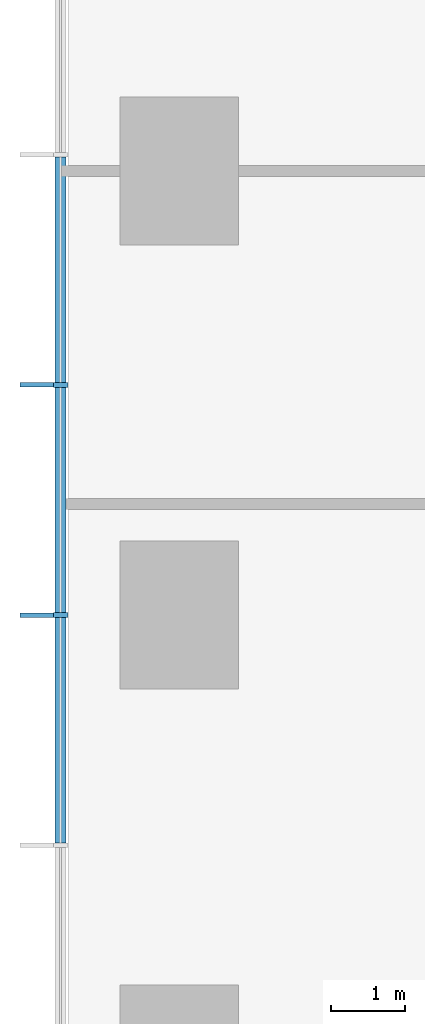
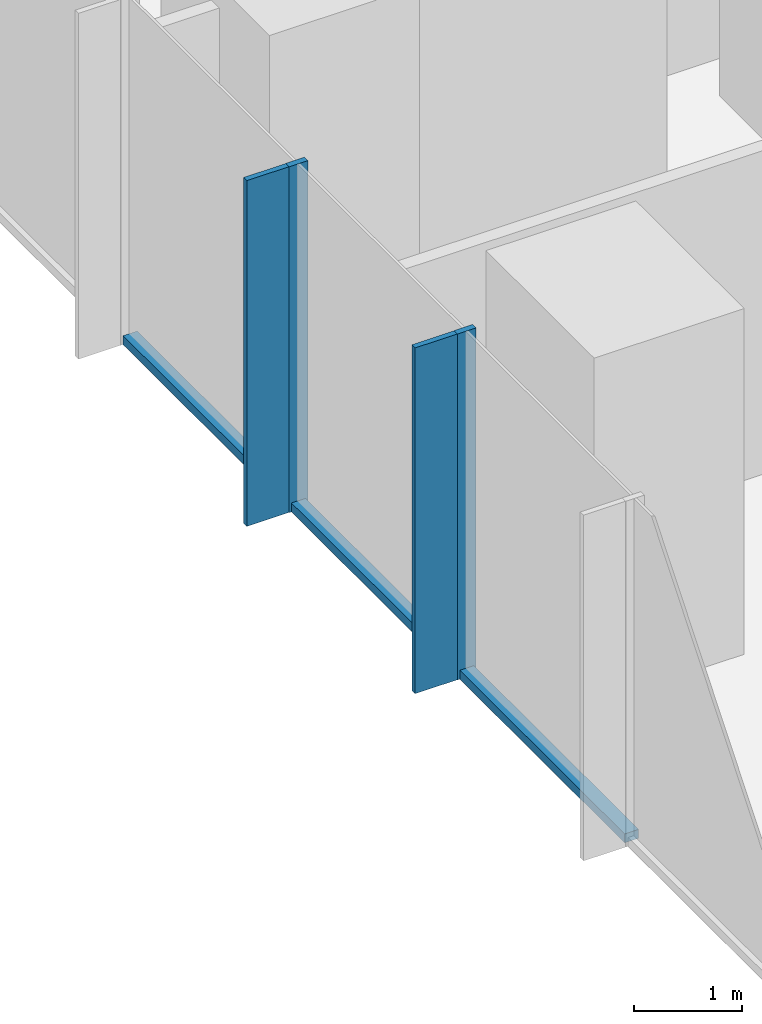
# One storey, part 3 of 12: 7 members, 1 element without a shape of its own.
"""IFC4 building model written with IfcOpenShell, lengths in metres."""

from ifc_helpers import new_model, si_unit, direction, frame, origin, origin_2d, place, context, subcontext, project, spatial, rectangle, extrude, material, layer, layer_set, material_profile, profile_set, type_object, element, aggregate, save


model = new_model("IFC4")

# Units and contexts
model_context = context("Model", 3, precision=1e-05, world=origin(), true_north=direction((0.0, 1.0)))
body_context = subcontext(model_context, "Body", "Model", "MODEL_VIEW")
ifc_project = project(units=[si_unit("LENGTHUNIT", "METRE"), si_unit("AREAUNIT", "SQUARE_METRE"), si_unit("VOLUMEUNIT", "CUBIC_METRE"), si_unit("PLANEANGLEUNIT", "RADIAN"), si_unit("MASSUNIT", "GRAM", prefix="KILO")], contexts=[model_context])

# Site, building, storey
site_placement = place(None, origin())
site = spatial("IfcSite", under=ifc_project, at=site_placement, CompositionType="ELEMENT")
building_placement = place(site_placement, origin())
building = spatial("IfcBuilding", under=site, at=building_placement, Name="Highveld Stack Headquarters", CompositionType="ELEMENT")
storey_placement = place(building_placement, frame((0.0, 0.0, 26.0)))
storey = spatial("IfcBuildingStorey", under=building, at=storey_placement, Name="L05", CompositionType="ELEMENT", Elevation=26.0)

# Curtain wall, members
ifc_material_1 = material(Name="Aluminium bronze anodised", Category="aluminium")
ifc_layer = layer(ifc_material_1, 0.199951171875)
ifc_layer_set = layer_set([ifc_layer], Name="Aluminium bronze anodised")
curtain_wall_type = type_object("IfcCurtainWallType", Name="CW1 TOWER UNITISED CURTAIN WALL", PredefinedType="NOTDEFINED", material=ifc_layer_set)
curtain_wall_placement = place(storey_placement, origin())
curtain_wall = element("IfcCurtainWall", 1, at=curtain_wall_placement, inside=storey, type_object=curtain_wall_type, Name="Curtain wall CW1 L05 W", PredefinedType="NOTDEFINED")
ifc_material_2 = material(Name="Aluminium bronze anodised", Category="aluminium")
ifc_material_profile_1 = material_profile(ifc_material_2, rectangle(XDim=0.449951171875, YDim=0.06005859375, at=origin_2d()), Name="FIN 450x60")
ifc_profile_set_1 = profile_set([ifc_material_profile_1], Name="Aluminium bronze anodised")
member_type_1 = type_object("IfcMemberType", Name="CW1 BRONZE FIN 450x60", PredefinedType="USERDEFINED", material=ifc_profile_set_1)
member_1_placement = place(storey_placement, frame((-25.925048828125, 3.110595703125, 0.0), z_axis=(0.0, 0.0, 1.0), x_axis=(1.0, 0.0, 0.0)))
member_1 = element("IfcMember", 2, at=member_1_placement, type_object=member_type_1, Name="CW1 fin L05 6", ObjectType="FIN", PredefinedType="USERDEFINED", context=body_context, shape_type="SweptSolid", body=[
    extrude(rectangle(XDim=0.449951171875, YDim=0.06005859375, at=origin_2d()), origin(), (0.0, 0.0, 1.0), 3.89990234375),
])
member_2_placement = place(storey_placement, frame((-25.925048828125, 0.0, 0.0), z_axis=(0.0, 0.0, 1.0), x_axis=(1.0, 0.0, 0.0)))
member_2 = element("IfcMember", 3, at=member_2_placement, type_object=member_type_1, Name="CW1 fin L05 7", ObjectType="FIN", PredefinedType="USERDEFINED", context=body_context, shape_type="SweptSolid", body=[
    extrude(rectangle(XDim=0.449951171875, YDim=0.06005859375, at=origin_2d()), origin(), (0.0, 0.0, 1.0), 3.89990234375),
])
ifc_material_3 = material(Name="Aluminium bronze anodised", Category="aluminium")
ifc_material_profile_2 = material_profile(ifc_material_3, rectangle(XDim=0.199951171875, YDim=0.06494140625, at=origin_2d()), Name="CW1 MULLION 65x200")
ifc_profile_set_2 = profile_set([ifc_material_profile_2], Name="Aluminium bronze anodised")
member_type_2 = type_object("IfcMemberType", Name="CW1 MULLION 65x200", PredefinedType="MULLION", material=ifc_profile_set_2)
member_3_placement = place(storey_placement, frame((-25.60009765625, 3.110595703125, 0.0), z_axis=(0.0, 0.0, 1.0), x_axis=(1.0, 0.0, 0.0)))
member_3 = element("IfcMember", 4, at=member_3_placement, type_object=member_type_2, Name="CW1 mullion L05 6", PredefinedType="MULLION", context=body_context, shape_type="SweptSolid", body=[
    extrude(rectangle(XDim=0.199951171875, YDim=0.06494140625, at=origin_2d()), origin(), (0.0, 0.0, 1.0), 3.89990234375),
])
member_4_placement = place(storey_placement, frame((-25.60009765625, 0.0, 0.0), z_axis=(0.0, 0.0, 1.0), x_axis=(1.0, 0.0, 0.0)))
member_4 = element("IfcMember", 5, at=member_4_placement, type_object=member_type_2, Name="CW1 mullion L05 7", PredefinedType="MULLION", context=body_context, shape_type="SweptSolid", body=[
    extrude(rectangle(XDim=0.199951171875, YDim=0.06494140625, at=origin_2d()), origin(), (0.0, 0.0, 1.0), 3.89990234375),
])
ifc_material_4 = material(Name="Aluminium bronze anodised", Category="aluminium")
ifc_material_profile_3 = material_profile(ifc_material_4, rectangle(XDim=0.14990234375, YDim=0.10009765625, at=origin_2d()), Name="CW1 TRANSOM 150x100")
ifc_profile_set_3 = profile_set([ifc_material_profile_3], Name="Aluminium bronze anodised")
member_type_3 = type_object("IfcMemberType", Name="CW1 STACK TRANSOM 150x100", PredefinedType="USERDEFINED", material=ifc_profile_set_3)
member_5_placement = place(storey_placement, frame((-25.60009765625, 6.1884765625, 0.050048828125), z_axis=(0.0, -1.0, 0.0), x_axis=(1.0, 0.0, 0.0)))
member_5 = element("IfcMember", 6, at=member_5_placement, type_object=member_type_3, Name="CW1 transom L05 5.1", ObjectType="TRANSOM", PredefinedType="USERDEFINED", context=body_context, shape_type="SweptSolid", body=[
    extrude(rectangle(XDim=0.14990234375, YDim=0.10009765625, at=origin_2d()), origin(), (0.0, 0.0, 1.0), 3.04541015625),
])
member_6_placement = place(storey_placement, frame((-25.60009765625, 3.077880859375, 0.050048828125), z_axis=(0.0, -1.0, 0.0), x_axis=(1.0, 0.0, 0.0)))
member_6 = element("IfcMember", 7, at=member_6_placement, type_object=member_type_3, Name="CW1 transom L05 6.1", ObjectType="TRANSOM", PredefinedType="USERDEFINED", context=body_context, shape_type="SweptSolid", body=[
    extrude(rectangle(XDim=0.14990234375, YDim=0.10009765625, at=origin_2d()), origin(), (0.0, 0.0, 1.0), 3.04541015625),
])
member_7_placement = place(storey_placement, frame((-25.60009765625, -0.032470703125, 0.050048828125), z_axis=(0.0, -1.0, 0.0), x_axis=(1.0, 0.0, 0.0)))
member_7 = element("IfcMember", 8, at=member_7_placement, type_object=member_type_3, Name="CW1 transom L05 7.1", ObjectType="TRANSOM", PredefinedType="USERDEFINED", context=body_context, shape_type="SweptSolid", body=[
    extrude(rectangle(XDim=0.14990234375, YDim=0.10009765625, at=origin_2d()), origin(), (0.0, 0.0, 1.0), 3.04541015625),
])
aggregate(curtain_wall, [member_3, member_1, member_4, member_2, member_5, member_6, member_7])

save(model, "model.ifc")
